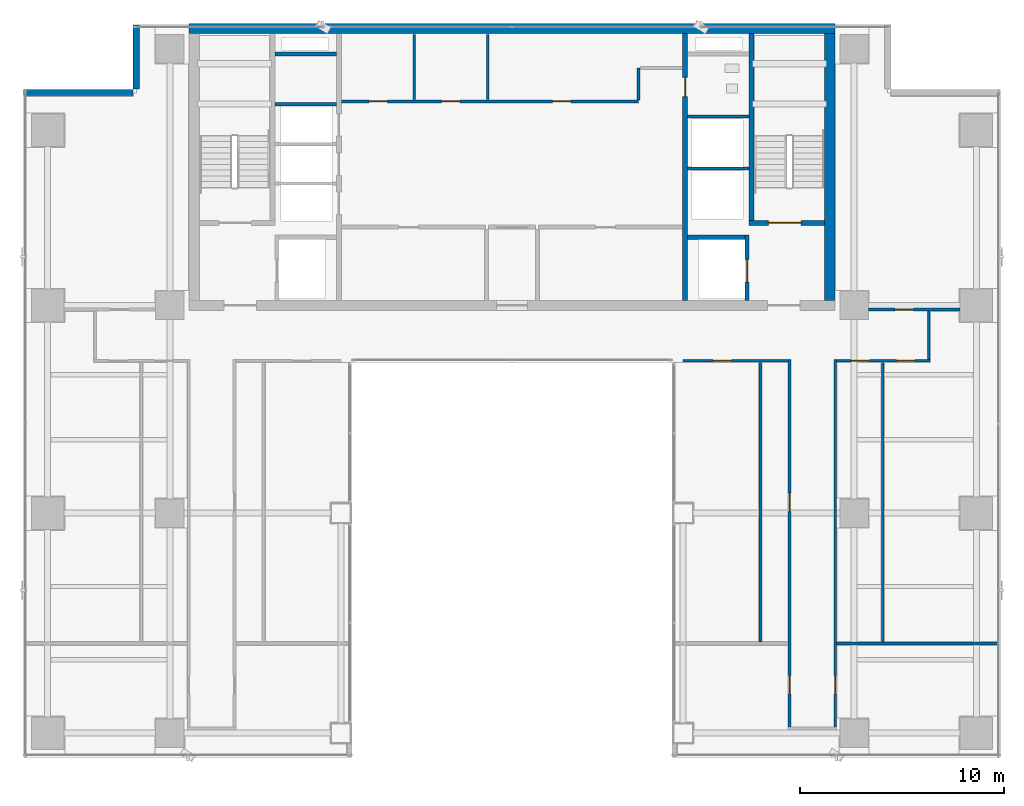
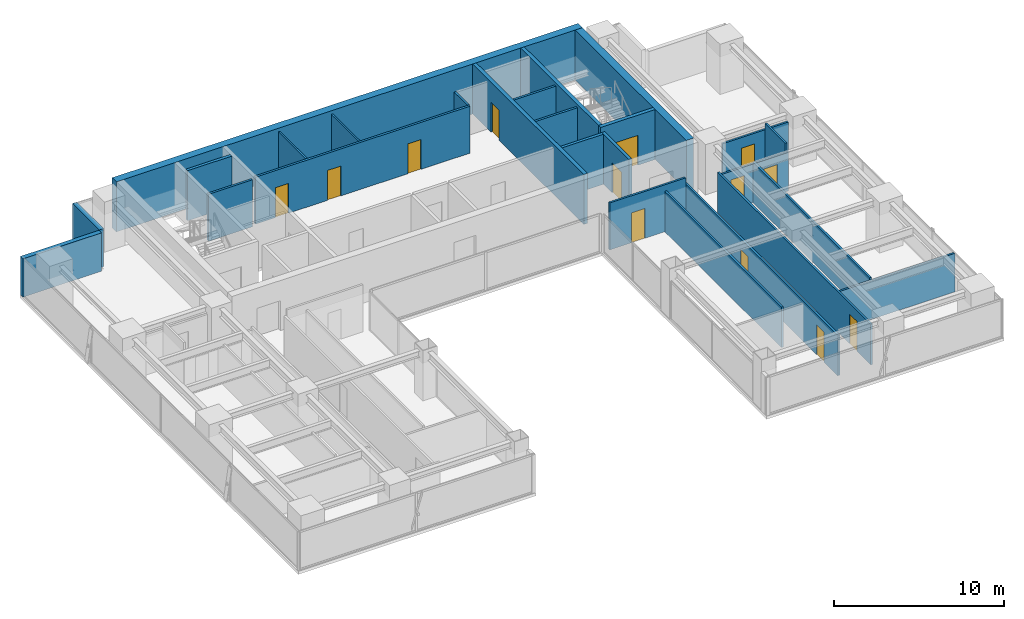
# One storey, part 25 of 30: 26 walls, 13 doors, 13 openings.
"""IFC4 building model written with IfcOpenShell, lengths in metres."""

from ifc_helpers import new_model, si_unit, direction, frame, frame_2d, origin, place, context, subcontext, project, spatial, rectangle, extrude, source, transform, mapped, material, layer, layer_set, type_object, element, fill, save


model = new_model("IFC4")

# Units and contexts
model_context = context("Model", 3, precision=1e-05, world=origin(), true_north=direction((0.0, 1.0)))
body_context = subcontext(model_context, "Body", "Model", "MODEL_VIEW")
ifc_project = project(units=[si_unit("LENGTHUNIT", "METRE"), si_unit("AREAUNIT", "SQUARE_METRE"), si_unit("VOLUMEUNIT", "CUBIC_METRE"), si_unit("PLANEANGLEUNIT", "RADIAN"), si_unit("MASSUNIT", "GRAM", prefix="KILO")], contexts=[model_context])

# Site, building, storey
site_placement = place(None, origin())
site = spatial("IfcSite", under=ifc_project, at=site_placement, CompositionType="ELEMENT")
building_placement = place(site_placement, origin())
building = spatial("IfcBuilding", under=site, at=building_placement, Name="Sumidabori Civic Tower", CompositionType="ELEMENT")
storey_placement = place(building_placement, frame((0.0, 0.0, 200.0)))
storey = spatial("IfcBuildingStorey", under=building, at=storey_placement, Name="L51", CompositionType="ELEMENT", Elevation=200.0)

# Walls
ifc_material_1 = material(Name="Concrete C50/60", Category="concrete")
ifc_layer_1 = layer(ifc_material_1, 0.199951171875, Name="Concrete C50/60")
ifc_layer_set_1 = layer_set([ifc_layer_1], Name="Concrete C50/60")
wall_type_1 = type_object("IfcWallType", Name="WL-SHAFT-200", PredefinedType="SHEAR", material=ifc_layer_set_1)
shared_shape_1 = source(origin(), body_context, "Body", "SweptSolid", [
    extrude(rectangle(XDim=2.824951171875, YDim=0.199951171875, at=frame_2d((1.41259765625, 0.0))), origin(), (0.0, 0.0, 1.0), 3.60009765625),
])
wall_1_placement = place(storey_placement, frame((8.625, 13.550048828125, 0.0), z_axis=(0.0, 0.0, 1.0), x_axis=(1.0, 0.0, 0.0)))
element("IfcWall", 1, at=wall_1_placement, inside=storey, type_object=wall_type_1, Name="Core Shear Wall L51 EL2-N", PredefinedType="SHEAR", context=body_context, shape_type="MappedRepresentation", body=[
    mapped(shared_shape_1, transform((0.0, 0.0, 0.0), x_axis=(1.0, 0.0, 0.0), y_axis=(0.0, 1.0, 0.0), z_axis=(0.0, 0.0, 1.0), scale=1.0)),
])
shared_shape_2 = source(origin(), body_context, "Body", "SweptSolid", [
    extrude(rectangle(XDim=3.02001953125, YDim=0.199951171875, at=frame_2d((1.510009765625, 0.0))), origin(), (0.0, 0.0, 1.0), 3.60009765625),
])
wall_2_placement = place(storey_placement, frame((-11.64501953125, 22.550048828125, 0.0), z_axis=(0.0, 0.0, 1.0), x_axis=(1.0, 0.0, 0.0)))
element("IfcWall", 2, at=wall_2_placement, inside=storey, type_object=wall_type_1, Name="Core Shear Wall L51 RIS1-S", PredefinedType="SHEAR", context=body_context, shape_type="MappedRepresentation", body=[
    mapped(shared_shape_2, transform((0.0, 0.0, 0.0), x_axis=(1.0, 0.0, 0.0), y_axis=(0.0, 1.0, 0.0), z_axis=(0.0, 0.0, 1.0), scale=1.0)),
])
ifc_layer_2 = layer(ifc_material_1, 0.5, Name="Concrete C50/60")
ifc_layer_set_2 = layer_set([ifc_layer_2], Name="Concrete C50/60")
wall_type_2 = type_object("IfcWallType", Name="WL-CORE-500", PredefinedType="SHEAR", material=ifc_layer_set_2)
shared_shape_3 = source(origin(), body_context, "Body", "SweptSolid", [
    extrude(rectangle(XDim=31.7001953125, YDim=0.5, at=frame_2d((15.85009765625, 0.0))), origin(), (0.0, 0.0, 1.0), 3.60009765625),
])
wall_3_placement = place(storey_placement, frame((-15.85009765625, 23.800048828125, 0.0), z_axis=(0.0, 0.0, 1.0), x_axis=(1.0, 0.0, 0.0)))
element("IfcWall", 3, at=wall_3_placement, inside=storey, type_object=wall_type_2, Name="Core Shear Wall L51 N", PredefinedType="SHEAR", context=body_context, shape_type="MappedRepresentation", body=[
    mapped(shared_shape_3, transform((0.0, 0.0, 0.0), x_axis=(1.0, 0.0, 0.0), y_axis=(0.0, 1.0, 0.0), z_axis=(0.0, 0.0, 1.0), scale=1.0)),
])
shared_shape_4 = source(origin(), body_context, "Body", "SweptSolid", [
    extrude(rectangle(XDim=13.10009765625, YDim=0.5, at=frame_2d((6.550048828125, 0.0))), origin(), (0.0, 0.0, 1.0), 3.60009765625),
])
wall_4_placement = place(storey_placement, frame((15.60009765625, 10.449951171875, 0.0), z_axis=(0.0, 0.0, 1.0), x_axis=(0.0, 1.0, 0.0)))
element("IfcWall", 4, at=wall_4_placement, inside=storey, type_object=wall_type_2, Name="Core Shear Wall L51 E", PredefinedType="SHEAR", context=body_context, shape_type="MappedRepresentation", body=[
    mapped(shared_shape_4, transform((0.0, 0.0, 0.0), x_axis=(1.0, 0.0, 0.0), y_axis=(0.0, 1.0, 0.0), z_axis=(0.0, 0.0, 1.0), scale=1.0)),
])

# Wall, opening, door
ifc_layer_3 = layer(ifc_material_1, 0.25, Name="Concrete C50/60")
ifc_layer_set_3 = layer_set([ifc_layer_3], Name="Concrete C50/60")
wall_type_3 = type_object("IfcWallType", Name="WL-SHAFT-250", PredefinedType="SHEAR", material=ifc_layer_set_3)
shared_shape_5 = source(origin(), body_context, "Body", "SweptSolid", [
    extrude(rectangle(XDim=13.10009765625, YDim=0.25, at=frame_2d((6.550048828125, 0.0))), origin(), (0.0, 0.0, 1.0), 3.60009765625),
])
wall_5_placement = place(storey_placement, frame((8.5, 10.449951171875, 0.0), z_axis=(0.0, 0.0, 1.0), x_axis=(0.0, 1.0, 0.0)))
wall_5 = element("IfcWall", 5, at=wall_5_placement, inside=storey, type_object=wall_type_3, Name="Core Shear Wall L51 WEB-E", PredefinedType="SHEAR", context=body_context, shape_type="MappedRepresentation", body=[
    mapped(shared_shape_5, transform((0.0, 0.0, 0.0), x_axis=(1.0, 0.0, 0.0), y_axis=(0.0, 1.0, 0.0), z_axis=(0.0, 0.0, 1.0), scale=1.0)),
])
opening_1_placement = place(wall_5_placement, frame((10.0, 0.0, 0.0)))
opening_1 = element("IfcOpeningElement", 6, at=opening_1_placement, cuts=wall_5, Name="Opening DR-2", PredefinedType="OPENING", context=body_context, shape_type="SweptSolid", body=[
    extrude(rectangle(XDim=0.949951171875, YDim=2.14990234375, at=frame_2d((0.47509765625, 1.074951171875))), frame((0.0, 0.136962890625, 0.0), z_axis=(0.0, -1.0, 0.0), x_axis=(1.0, 0.0, 0.0)), (0.0, 0.0, 1.0), 0.27392578125),
])
ifc_material_2 = material(Name="Japanese Hinoki Timber", Category="wood")
door_type_1 = type_object("IfcDoorType", Name="DR-INT-950", OperationType="NOTDEFINED", PredefinedType="DOOR", material=ifc_material_2)
shared_shape_6 = source(origin(), body_context, "Body", "SweptSolid", [
    extrude(rectangle(XDim=0.949951171875, YDim=2.14990234375, at=frame_2d((0.47509765625, 1.074951171875))), frame((0.0, 0.02490234375, 0.0), z_axis=(0.0, -1.0, 0.0), x_axis=(1.0, 0.0, 0.0)), (0.0, 0.0, 1.0), 0.050048828125),
])
door_1_placement = place(opening_1_placement, origin())
door_1 = element("IfcDoor", 7, at=door_1_placement, inside=storey, type_object=door_type_1, Name="Door DR:L51:WC-ACC", OperationType="SINGLE_SWING_RIGHT", OverallHeight=2.14990234375, OverallWidth=0.949951171875, PredefinedType="DOOR", context=body_context, shape_type="MappedRepresentation", body=[
    mapped(shared_shape_6, transform((0.0, 0.0, 0.0), x_axis=(1.0, 0.0, 0.0), y_axis=(0.0, 1.0, 0.0), z_axis=(0.0, 0.0, 1.0), scale=1.0)),
])
fill(opening_1, door_1)

shared_shape_7 = source(origin(), body_context, "Body", "SweptSolid", [
    extrude(rectangle(XDim=3.705078125, YDim=0.25, at=frame_2d((1.8525390625, 0.0))), origin(), (0.0, 0.0, 1.0), 3.60009765625),
])
wall_6_placement = place(storey_placement, frame((11.64501953125, 14.25, 0.0), z_axis=(0.0, 0.0, 1.0), x_axis=(1.0, 0.0, 0.0)))
wall_6 = element("IfcWall", 8, at=wall_6_placement, inside=storey, type_object=wall_type_3, Name="Core Shear Wall L51 ST2-S", PredefinedType="SHEAR", context=body_context, shape_type="MappedRepresentation", body=[
    mapped(shared_shape_7, transform((0.0, 0.0, 0.0), x_axis=(1.0, 0.0, 0.0), y_axis=(0.0, 1.0, 0.0), z_axis=(0.0, 0.0, 1.0), scale=1.0)),
])
opening_2_placement = place(wall_6_placement, frame((0.949951171875, 0.0, 0.0)))
opening_2 = element("IfcOpeningElement", 9, at=opening_2_placement, cuts=wall_6, Name="Opening DR-FD4", PredefinedType="OPENING", context=body_context, shape_type="SweptSolid", body=[
    extrude(rectangle(XDim=1.60009765625, YDim=2.14990234375, at=frame_2d((0.800048828125, 1.074951171875))), frame((0.0, 0.136962890625, 0.0), z_axis=(0.0, -1.0, 0.0), x_axis=(1.0, 0.0, 0.0)), (0.0, 0.0, 1.0), 0.27392578125),
])
ifc_material_3 = material(Name="Steel SN490", Category="steel")
door_type_2 = type_object("IfcDoorType", Name="DR-FD4", OperationType="DOUBLE_DOOR_SINGLE_SWING", PredefinedType="DOOR", material=ifc_material_3)
shared_shape_8 = source(origin(), body_context, "Body", "SweptSolid", [
    extrude(rectangle(XDim=1.60009765625, YDim=2.14990234375, at=frame_2d((0.800048828125, 1.074951171875))), frame((0.0, 0.02490234375, 0.0), z_axis=(0.0, -1.0, 0.0), x_axis=(1.0, 0.0, 0.0)), (0.0, 0.0, 1.0), 0.050048828125),
])
door_2_placement = place(opening_2_placement, origin())
door_2 = element("IfcDoor", 10, at=door_2_placement, inside=storey, type_object=door_type_2, Name="Door DR:L51:ST2", OperationType="DOUBLE_DOOR_SINGLE_SWING", OverallHeight=2.14990234375, OverallWidth=1.60009765625, PredefinedType="DOOR", context=body_context, shape_type="MappedRepresentation", body=[
    mapped(shared_shape_8, transform((0.0, 0.0, 0.0), x_axis=(1.0, 0.0, 0.0), y_axis=(0.0, 1.0, 0.0), z_axis=(0.0, 0.0, 1.0), scale=1.0)),
])
fill(opening_2, door_2)

# Wall
shared_shape_9 = source(origin(), body_context, "Body", "SweptSolid", [
    extrude(rectangle(XDim=9.175048828125, YDim=0.25, at=frame_2d((4.58740234375, 0.0))), origin(), (0.0, 0.0, 1.0), 3.60009765625),
])
wall_7_placement = place(storey_placement, frame((11.77001953125, 14.375, 0.0), z_axis=(0.0, 0.0, 1.0), x_axis=(0.0, 1.0, 0.0)))
element("IfcWall", 11, at=wall_7_placement, inside=storey, type_object=wall_type_3, Name="Core Shear Wall L51 ST2-W", PredefinedType="SHEAR", context=body_context, shape_type="MappedRepresentation", body=[
    mapped(shared_shape_9, transform((0.0, 0.0, 0.0), x_axis=(1.0, 0.0, 0.0), y_axis=(0.0, 1.0, 0.0), z_axis=(0.0, 0.0, 1.0), scale=1.0)),
])

# Wall, opening, door
shared_shape_10 = source(origin(), body_context, "Body", "SweptSolid", [
    extrude(rectangle(XDim=3.199951171875, YDim=0.199951171875, at=frame_2d((1.60009765625, 0.0))), origin(), (0.0, 0.0, 1.0), 3.60009765625),
])
wall_8_placement = place(storey_placement, frame((11.550048828125, 10.449951171875, 0.0), z_axis=(0.0, 0.0, 1.0), x_axis=(0.0, 1.0, 0.0)))
wall_8 = element("IfcWall", 12, at=wall_8_placement, inside=storey, type_object=wall_type_1, Name="Core Shear Wall L51 EL2-E", PredefinedType="SHEAR", context=body_context, shape_type="MappedRepresentation", body=[
    mapped(shared_shape_10, transform((0.0, 0.0, 0.0), x_axis=(1.0, 0.0, 0.0), y_axis=(0.0, 1.0, 0.0), z_axis=(0.0, 0.0, 1.0), scale=1.0)),
])
opening_3_placement = place(wall_8_placement, frame((0.89990234375, 0.0, 0.0)))
opening_3 = element("IfcOpeningElement", 13, at=opening_3_placement, cuts=wall_8, Name="Opening LD-2", PredefinedType="OPENING", context=body_context, shape_type="SweptSolid", body=[
    extrude(rectangle(XDim=1.10009765625, YDim=2.14990234375, at=frame_2d((0.550048828125, 1.074951171875))), frame((0.0, 0.11181640625, 0.0), z_axis=(0.0, -1.0, 0.0), x_axis=(1.0, 0.0, 0.0)), (0.0, 0.0, 1.0), 0.223876953125),
])
ifc_material_4 = material(Name="Stainless Steel Hairline Finish", Category="steel")
door_type_3 = type_object("IfcDoorType", Name="DR-LD2", OperationType="DOUBLE_DOOR_SLIDING", PredefinedType="DOOR", material=ifc_material_4)
shared_shape_11 = source(origin(), body_context, "Body", "SweptSolid", [
    extrude(rectangle(XDim=1.10009765625, YDim=2.14990234375, at=frame_2d((0.550048828125, 1.074951171875))), frame((0.0, 0.02490234375, 0.0), z_axis=(0.0, -1.0, 0.0), x_axis=(1.0, 0.0, 0.0)), (0.0, 0.0, 1.0), 0.050048828125),
])
door_3_placement = place(opening_3_placement, origin())
door_3 = element("IfcDoor", 14, at=door_3_placement, inside=storey, type_object=door_type_3, Name="Door DR:L51:LD-EL2", OperationType="DOUBLE_DOOR_SLIDING", OverallHeight=2.14990234375, OverallWidth=1.10009765625, PredefinedType="DOOR", context=body_context, shape_type="MappedRepresentation", body=[
    mapped(shared_shape_11, transform((0.0, 0.0, 0.0), x_axis=(1.0, 0.0, 0.0), y_axis=(0.0, 1.0, 0.0), z_axis=(0.0, 0.0, 1.0), scale=1.0)),
])
fill(opening_3, door_3)

# Walls
ifc_material_5 = material(Name="Precast concrete C40/50", Category="concrete")
ifc_layer_4 = layer(ifc_material_5, 0.300048828125, Name="Precast concrete C40/50")
ifc_layer_set_4 = layer_set([ifc_layer_4], Name="Precast concrete C40/50")
wall_type_4 = type_object("IfcWallType", Name="WL-EXT-POD300", PredefinedType="STANDARD", material=ifc_layer_set_4)
shared_shape_12 = source(origin(), body_context, "Body", "SweptSolid", [
    extrude(rectangle(XDim=5.35986328125, YDim=0.300048828125, at=frame_2d((2.679931640625, 0.0))), origin(), (0.0, 0.0, 1.0), 2.760009765625),
])
wall_9_placement = place(storey_placement, frame((-18.6201171875, 20.64990234375, 0.0), z_axis=(0.0, 0.0, 1.0), x_axis=(-1.0, 0.0, 0.0)))
element("IfcWall", 15, at=wall_9_placement, inside=storey, type_object=wall_type_4, Name="Notched Corner Spandrel Band L51-15", PredefinedType="STANDARD", context=body_context, shape_type="MappedRepresentation", body=[
    mapped(shared_shape_12, transform((0.0, 0.0, 0.0), x_axis=(1.0, 0.0, 0.0), y_axis=(0.0, 1.0, 0.0), z_axis=(0.0, 0.0, 1.0), scale=1.0)),
])
shared_shape_13 = source(origin(), body_context, "Body", "SweptSolid", [
    extrude(rectangle(XDim=3.159912109375, YDim=0.300048828125, at=frame_2d((1.580078125, 0.0))), origin(), (0.0, 0.0, 1.0), 2.760009765625),
])
wall_10_placement = place(storey_placement, frame((-18.449951171875, 23.97998046875, 0.0), z_axis=(0.0, 0.0, 1.0), x_axis=(0.0, -1.0, 0.0)))
element("IfcWall", 16, at=wall_10_placement, inside=storey, type_object=wall_type_4, Name="Notched Corner Spandrel Band L51-14", PredefinedType="STANDARD", context=body_context, shape_type="MappedRepresentation", body=[
    mapped(shared_shape_13, transform((0.0, 0.0, 0.0), x_axis=(1.0, 0.0, 0.0), y_axis=(0.0, 1.0, 0.0), z_axis=(0.0, 0.0, 1.0), scale=1.0)),
])
ifc_material_6 = material(Name="Gypsum Plasterboard Acoustic Partition")
ifc_layer_5 = layer(ifc_material_6, 0.14990234375, Name="Gypsum Plasterboard Acoustic Partition")
ifc_layer_set_5 = layer_set([ifc_layer_5], Name="Gypsum Plasterboard Acoustic Partition")
wall_type_5 = type_object("IfcWallType", Name="WL-PART-150", PredefinedType="PARTITIONING", material=ifc_layer_set_5)
shared_shape_14 = source(origin(), body_context, "Body", "SweptSolid", [
    extrude(rectangle(XDim=3.010009765625, YDim=0.14990234375, at=frame_2d((1.5048828125, 0.0))), origin(), (0.0, 0.0, 1.0), 3.3798828125),
])
for number, where, z_axis, x_axis, name in (
    (17, (-11.639892578125, 20.080078125, 0.0), (0.0, 0.0, 1.0), (1.0, 0.0, 0.0), "Interior Partition WL:L51:DIV-PLH3"),
    (18, (8.6298828125, 16.919921875, 0.0), (0.0, 0.0, 1.0), (1.0, 0.0, 0.0), "Interior Partition WL:L51:DIV-OBS1"),
    (19, (8.6298828125, 19.469970703125, 0.0), (0.0, 0.0, 1.0), (1.0, 0.0, 0.0), "Interior Partition WL:L51:DIV-OBS2"),
):
    element("IfcWall", number, at=place(storey_placement, frame(where, z_axis=z_axis, x_axis=x_axis)), inside=storey, type_object=wall_type_5, Name=name, PredefinedType="PARTITIONING", context=body_context, shape_type="MappedRepresentation", body=[
        mapped(shared_shape_14, transform((0.0, 0.0, 0.0), x_axis=(1.0, 0.0, 0.0), y_axis=(0.0, 1.0, 0.0), z_axis=(0.0, 0.0, 1.0), scale=1.0)),
    ])

# Wall, openings, doors
shared_shape_15 = source(origin(), body_context, "Body", "SweptSolid", [
    extrude(rectangle(XDim=14.590087890625, YDim=0.14990234375, at=frame_2d((7.294921875, 0.0))), origin(), (0.0, 0.0, 1.0), 3.3798828125),
])
wall_11_placement = place(storey_placement, frame((-8.3701171875, 20.219970703125, 0.0), z_axis=(0.0, 0.0, 1.0), x_axis=(1.0, 0.0, 0.0)))
wall_11 = element("IfcWall", 20, at=wall_11_placement, inside=storey, type_object=wall_type_5, Name="Interior Partition WL:L51:CBAND-M", PredefinedType="PARTITIONING", context=body_context, shape_type="MappedRepresentation", body=[
    mapped(shared_shape_15, transform((0.0, 0.0, 0.0), x_axis=(1.0, 0.0, 0.0), y_axis=(0.0, 1.0, 0.0), z_axis=(0.0, 0.0, 1.0), scale=1.0)),
])
opening_4_placement = place(wall_11_placement, frame((1.360107421875, 0.0, 0.0)))
opening_4 = element("IfcOpeningElement", 21, at=opening_4_placement, cuts=wall_11, Name="Opening DR-1", PredefinedType="OPENING", context=body_context, shape_type="SweptSolid", body=[
    extrude(rectangle(XDim=0.89990234375, YDim=2.14990234375, at=frame_2d((0.449951171875, 1.074951171875))), frame((0.0, 0.0869140625, 0.0), z_axis=(0.0, -1.0, 0.0), x_axis=(1.0, 0.0, 0.0)), (0.0, 0.0, 1.0), 0.173828125),
])
opening_5_placement = place(wall_11_placement, frame((4.919921875, 0.0, 0.0)))
opening_5 = element("IfcOpeningElement", 22, at=opening_5_placement, cuts=wall_11, Name="Opening DR-1", PredefinedType="OPENING", context=body_context, shape_type="SweptSolid", body=[
    extrude(rectangle(XDim=0.89990234375, YDim=2.14990234375, at=frame_2d((0.449951171875, 1.074951171875))), frame((0.0, 0.0869140625, 0.0), z_axis=(0.0, -1.0, 0.0), x_axis=(1.0, 0.0, 0.0)), (0.0, 0.0, 1.0), 0.173828125),
])
opening_6_placement = place(wall_11_placement, frame((10.3701171875, 0.0, 0.0)))
opening_6 = element("IfcOpeningElement", 23, at=opening_6_placement, cuts=wall_11, Name="Opening DR-1", PredefinedType="OPENING", context=body_context, shape_type="SweptSolid", body=[
    extrude(rectangle(XDim=0.89990234375, YDim=2.14990234375, at=frame_2d((0.449951171875, 1.074951171875))), frame((0.0, 0.0869140625, 0.0), z_axis=(0.0, -1.0, 0.0), x_axis=(1.0, 0.0, 0.0)), (0.0, 0.0, 1.0), 0.173828125),
])
door_type_4 = type_object("IfcDoorType", Name="DR-INT-900", OperationType="NOTDEFINED", PredefinedType="DOOR", material=ifc_material_2)
shared_shape_16 = source(origin(), body_context, "Body", "SweptSolid", [
    extrude(rectangle(XDim=0.89990234375, YDim=2.14990234375, at=frame_2d((0.449951171875, 1.074951171875))), frame((0.0, 0.02490234375, 0.0), z_axis=(0.0, -1.0, 0.0), x_axis=(1.0, 0.0, 0.0)), (0.0, 0.0, 1.0), 0.050048828125),
])
door_4_placement = place(opening_4_placement, origin())
door_4 = element("IfcDoor", 24, at=door_4_placement, inside=storey, type_object=door_type_4, Name="Door DR:L51:CB-1", OperationType="SINGLE_SWING_LEFT", OverallHeight=2.14990234375, OverallWidth=0.89990234375, PredefinedType="DOOR", context=body_context, shape_type="MappedRepresentation", body=[
    mapped(shared_shape_16, transform((0.0, 0.0, 0.0), x_axis=(1.0, 0.0, 0.0), y_axis=(0.0, 1.0, 0.0), z_axis=(0.0, 0.0, 1.0), scale=1.0)),
])
fill(opening_4, door_4)
door_5_placement = place(opening_5_placement, origin())
door_5 = element("IfcDoor", 25, at=door_5_placement, inside=storey, type_object=door_type_4, Name="Door DR:L51:CB-2", OperationType="SINGLE_SWING_RIGHT", OverallHeight=2.14990234375, OverallWidth=0.89990234375, PredefinedType="DOOR", context=body_context, shape_type="MappedRepresentation", body=[
    mapped(shared_shape_16, transform((0.0, 0.0, 0.0), x_axis=(1.0, 0.0, 0.0), y_axis=(0.0, 1.0, 0.0), z_axis=(0.0, 0.0, 1.0), scale=1.0)),
])
fill(opening_5, door_5)
door_6_placement = place(opening_6_placement, origin())
door_6 = element("IfcDoor", 26, at=door_6_placement, inside=storey, type_object=door_type_4, Name="Door DR:L51:CB-3", OperationType="SINGLE_SWING_LEFT", OverallHeight=2.14990234375, OverallWidth=0.89990234375, PredefinedType="DOOR", context=body_context, shape_type="MappedRepresentation", body=[
    mapped(shared_shape_16, transform((0.0, 0.0, 0.0), x_axis=(1.0, 0.0, 0.0), y_axis=(0.0, 1.0, 0.0), z_axis=(0.0, 0.0, 1.0), scale=1.0)),
])
fill(opening_6, door_6)

# Wall
shared_shape_17 = source(origin(), body_context, "Body", "SweptSolid", [
    extrude(rectangle(XDim=1.550048828125, YDim=0.14990234375, at=frame_2d((0.77490234375, 0.0))), origin(), (0.0, 0.0, 1.0), 3.3798828125),
])
wall_12_placement = place(storey_placement, frame((6.219970703125, 20.300048828125, 0.0), z_axis=(0.0, 0.0, 1.0), x_axis=(0.0, 1.0, 0.0)))
element("IfcWall", 27, at=wall_12_placement, inside=storey, type_object=wall_type_5, Name="Interior Partition WL:L51:CBAND-ME1", PredefinedType="PARTITIONING", context=body_context, shape_type="MappedRepresentation", body=[
    mapped(shared_shape_17, transform((0.0, 0.0, 0.0), x_axis=(1.0, 0.0, 0.0), y_axis=(0.0, 1.0, 0.0), z_axis=(0.0, 0.0, 1.0), scale=1.0)),
])

# Wall, opening, door
ifc_layer_6 = layer(ifc_material_6, 0.135009765625, Name="Gypsum Plasterboard Acoustic Partition")
ifc_layer_set_6 = layer_set([ifc_layer_6], Name="Gypsum Plasterboard Acoustic Partition")
wall_type_6 = type_object("IfcWallType", Name="WL-PART-135", PredefinedType="PARTITIONING", material=ifc_layer_set_6)
shared_shape_18 = source(origin(), body_context, "Body", "SweptSolid", [
    extrude(rectangle(XDim=4.47998046875, YDim=0.135009765625, at=frame_2d((2.239990234375, 0.0))), origin(), (0.0, 0.0, 1.0), 2.9150390625),
])
wall_13_placement = place(storey_placement, frame((17.510009765625, 10.0, 0.0), z_axis=(0.0, 0.0, 1.0), x_axis=(1.0, 0.0, 0.0)))
wall_13 = element("IfcWall", 28, at=wall_13_placement, inside=storey, type_object=wall_type_6, Name="Interior Partition WL:L51:FLK-NE", PredefinedType="PARTITIONING", context=body_context, shape_type="MappedRepresentation", body=[
    mapped(shared_shape_18, transform((0.0, 0.0, 0.0), x_axis=(1.0, 0.0, 0.0), y_axis=(0.0, 1.0, 0.0), z_axis=(0.0, 0.0, 1.0), scale=1.0)),
])
opening_7_placement = place(wall_13_placement, frame((1.294921875, 0.0, 0.0)))
opening_7 = element("IfcOpeningElement", 29, at=opening_7_placement, cuts=wall_13, Name="Opening DR-1", PredefinedType="OPENING", context=body_context, shape_type="SweptSolid", body=[
    extrude(rectangle(XDim=0.89990234375, YDim=2.14990234375, at=frame_2d((0.449951171875, 1.074951171875))), frame((0.0, 0.07958984375, 0.0), z_axis=(0.0, -1.0, 0.0), x_axis=(1.0, 0.0, 0.0)), (0.0, 0.0, 1.0), 0.158935546875),
])
door_7_placement = place(opening_7_placement, origin())
door_7 = element("IfcDoor", 30, at=door_7_placement, inside=storey, type_object=door_type_4, Name="Door DR:L51:FLK-NE", OperationType="SINGLE_SWING_RIGHT", OverallHeight=2.14990234375, OverallWidth=0.89990234375, PredefinedType="DOOR", context=body_context, shape_type="MappedRepresentation", body=[
    mapped(shared_shape_16, transform((0.0, 0.0, 0.0), x_axis=(1.0, 0.0, 0.0), y_axis=(0.0, 1.0, 0.0), z_axis=(0.0, 0.0, 1.0), scale=1.0)),
])
fill(opening_7, door_7)

# Wall, openings, doors
shared_shape_19 = source(origin(), body_context, "Body", "SweptSolid", [
    extrude(rectangle(XDim=18.045166015625, YDim=0.135009765625, at=frame_2d((9.0224609375, 0.0))), origin(), (0.0, 0.0, 1.0), 2.9150390625),
])
wall_14_placement = place(storey_placement, frame((13.632568359375, -10.4951171875, 0.0), z_axis=(0.0, 0.0, 1.0), x_axis=(0.0, 1.0, 0.0)))
wall_14 = element("IfcWall", 31, at=wall_14_placement, inside=storey, type_object=wall_type_6, Name="Interior Partition WL:L51:CORR-VPE-I", PredefinedType="PARTITIONING", context=body_context, shape_type="MappedRepresentation", body=[
    mapped(shared_shape_19, transform((0.0, 0.0, 0.0), x_axis=(1.0, 0.0, 0.0), y_axis=(0.0, 1.0, 0.0), z_axis=(0.0, 0.0, 1.0), scale=1.0)),
])
opening_8_placement = place(wall_14_placement, frame((10.586181640625, 0.0, 0.0)))
opening_8 = element("IfcOpeningElement", 32, at=opening_8_placement, cuts=wall_14, Name="Opening DR-1", PredefinedType="OPENING", context=body_context, shape_type="SweptSolid", body=[
    extrude(rectangle(XDim=0.89990234375, YDim=2.14990234375, at=frame_2d((0.449951171875, 1.074951171875))), frame((0.0, 0.07958984375, 0.0), z_axis=(0.0, -1.0, 0.0), x_axis=(1.0, 0.0, 0.0)), (0.0, 0.0, 1.0), 0.158935546875),
])
opening_9_placement = place(wall_14_placement, frame((1.623779296875, 0.0, 0.0)))
opening_9 = element("IfcOpeningElement", 33, at=opening_9_placement, cuts=wall_14, Name="Opening DR-1", PredefinedType="OPENING", context=body_context, shape_type="SweptSolid", body=[
    extrude(rectangle(XDim=0.89990234375, YDim=2.14990234375, at=frame_2d((0.449951171875, 1.074951171875))), frame((0.0, 0.07958984375, 0.0), z_axis=(0.0, -1.0, 0.0), x_axis=(1.0, 0.0, 0.0)), (0.0, 0.0, 1.0), 0.158935546875),
])
door_8_placement = place(opening_8_placement, origin())
door_8 = element("IfcDoor", 34, at=door_8_placement, inside=storey, type_object=door_type_4, Name="Door DR:L51:D10", OperationType="SINGLE_SWING_RIGHT", OverallHeight=2.14990234375, OverallWidth=0.89990234375, PredefinedType="DOOR", context=body_context, shape_type="MappedRepresentation", body=[
    mapped(shared_shape_16, transform((0.0, 0.0, 0.0), x_axis=(1.0, 0.0, 0.0), y_axis=(0.0, 1.0, 0.0), z_axis=(0.0, 0.0, 1.0), scale=1.0)),
])
fill(opening_8, door_8)
door_9_placement = place(opening_9_placement, origin())
door_9 = element("IfcDoor", 35, at=door_9_placement, inside=storey, type_object=door_type_4, Name="Door DR:L51:D14", OperationType="SINGLE_SWING_RIGHT", OverallHeight=2.14990234375, OverallWidth=0.89990234375, PredefinedType="DOOR", context=body_context, shape_type="MappedRepresentation", body=[
    mapped(shared_shape_16, transform((0.0, 0.0, 0.0), x_axis=(1.0, 0.0, 0.0), y_axis=(0.0, 1.0, 0.0), z_axis=(0.0, 0.0, 1.0), scale=1.0)),
])
fill(opening_9, door_9)

# Wall, opening, door
wall_15_placement = place(storey_placement, frame((15.867431640625, -10.4951171875, 0.0), z_axis=(0.0, 0.0, 1.0), x_axis=(0.0, 1.0, 0.0)))
wall_15 = element("IfcWall", 36, at=wall_15_placement, inside=storey, type_object=wall_type_6, Name="Interior Partition WL:L51:CORR-VPE-O", PredefinedType="PARTITIONING", context=body_context, shape_type="MappedRepresentation", body=[
    mapped(shared_shape_19, transform((0.0, 0.0, 0.0), x_axis=(1.0, 0.0, 0.0), y_axis=(0.0, 1.0, 0.0), z_axis=(0.0, 0.0, 1.0), scale=1.0)),
])
opening_10_placement = place(wall_15_placement, frame((1.623779296875, 0.0, 0.0)))
opening_10 = element("IfcOpeningElement", 37, at=opening_10_placement, cuts=wall_15, Name="Opening DR-1", PredefinedType="OPENING", context=body_context, shape_type="SweptSolid", body=[
    extrude(rectangle(XDim=0.89990234375, YDim=2.14990234375, at=frame_2d((0.449951171875, 1.074951171875))), frame((0.0, 0.07958984375, 0.0), z_axis=(0.0, -1.0, 0.0), x_axis=(1.0, 0.0, 0.0)), (0.0, 0.0, 1.0), 0.158935546875),
])
door_10_placement = place(opening_10_placement, origin())
door_10 = element("IfcDoor", 38, at=door_10_placement, inside=storey, type_object=door_type_4, Name="Door DR:L51:D12", OperationType="SINGLE_SWING_RIGHT", OverallHeight=2.14990234375, OverallWidth=0.89990234375, PredefinedType="DOOR", context=body_context, shape_type="MappedRepresentation", body=[
    mapped(shared_shape_16, transform((0.0, 0.0, 0.0), x_axis=(1.0, 0.0, 0.0), y_axis=(0.0, 1.0, 0.0), z_axis=(0.0, 0.0, 1.0), scale=1.0)),
])
fill(opening_10, door_10)

# Walls
shared_shape_20 = source(origin(), body_context, "Body", "SweptSolid", [
    extrude(rectangle(XDim=13.7373046875, YDim=0.135009765625, at=frame_2d((6.86865234375, 0.0))), origin(), (0.0, 0.0, 1.0), 2.9150390625),
])
for number, where, z_axis, x_axis, name in (
    (39, (12.199951171875, -6.327392578125, 0.0), (0.0, 0.0, 1.0), (0.0, 1.0, 0.0), "Interior Partition WL:L51:VX-N3"),
    (40, (18.199951171875, -6.327392578125, 0.0), (0.0, 0.0, 1.0), (0.0, 1.0, 0.0), "Interior Partition WL:L51:VX-N4"),
):
    element("IfcWall", number, at=place(storey_placement, frame(where, z_axis=z_axis, x_axis=x_axis)), inside=storey, type_object=wall_type_6, Name=name, PredefinedType="PARTITIONING", context=body_context, shape_type="MappedRepresentation", body=[
        mapped(shared_shape_20, transform((0.0, 0.0, 0.0), x_axis=(1.0, 0.0, 0.0), y_axis=(0.0, 1.0, 0.0), z_axis=(0.0, 0.0, 1.0), scale=1.0)),
    ])
ifc_layer_7 = layer(ifc_material_6, 0.1201171875, Name="Gypsum Plasterboard Acoustic Partition")
ifc_layer_set_7 = layer_set([ifc_layer_7], Name="Gypsum Plasterboard Acoustic Partition")
wall_type_7 = type_object("IfcWallType", Name="WL-PART-120", PredefinedType="PARTITIONING", material=ifc_layer_set_7)
shared_shape_21 = source(origin(), body_context, "Body", "SweptSolid", [
    extrude(rectangle(XDim=3.18994140625, YDim=0.1201171875, at=frame_2d((1.594970703125, 0.0))), origin(), (0.0, 0.0, 1.0), 3.3798828125),
])
for number, where, z_axis, x_axis, name in (
    (41, (-4.800048828125, 20.320068359375, 0.0), (0.0, 0.0, 1.0), (0.0, 1.0, 0.0), "Interior Partition WL:L51:LV8-S1"),
    (42, (-1.199951171875, 20.320068359375, 0.0), (0.0, 0.0, 1.0), (0.0, 1.0, 0.0), "Interior Partition WL:L51:LV8-S2"),
):
    element("IfcWall", number, at=place(storey_placement, frame(where, z_axis=z_axis, x_axis=x_axis)), inside=storey, type_object=wall_type_7, Name=name, PredefinedType="PARTITIONING", context=body_context, shape_type="MappedRepresentation", body=[
        mapped(shared_shape_21, transform((0.0, 0.0, 0.0), x_axis=(1.0, 0.0, 0.0), y_axis=(0.0, 1.0, 0.0), z_axis=(0.0, 0.0, 1.0), scale=1.0)),
    ])

# Wall, openings, doors
shared_shape_22 = source(origin(), body_context, "Body", "SweptSolid", [
    extrude(rectangle(XDim=4.599853515625, YDim=0.135009765625, at=frame_2d((2.2998046875, 0.0))), origin(), (0.0, 0.0, 1.0), 2.764892578125),
])
wall_16_placement = place(storey_placement, frame((15.93505859375, 7.482421875, 0.0), z_axis=(0.0, 0.0, 1.0), x_axis=(1.0, 0.0, 0.0)))
wall_16 = element("IfcWall", 43, at=wall_16_placement, inside=storey, type_object=wall_type_6, Name="Interior Partition WL:L51:CORR-SEO", PredefinedType="PARTITIONING", context=body_context, shape_type="MappedRepresentation", body=[
    mapped(shared_shape_22, transform((0.0, 0.0, 0.0), x_axis=(1.0, 0.0, 0.0), y_axis=(0.0, 1.0, 0.0), z_axis=(0.0, 0.0, 1.0), scale=1.0)),
])
opening_11_placement = place(wall_16_placement, frame((2.956298828125, 0.0, 0.0)))
opening_11 = element("IfcOpeningElement", 44, at=opening_11_placement, cuts=wall_16, Name="Opening DR-1", PredefinedType="OPENING", context=body_context, shape_type="SweptSolid", body=[
    extrude(rectangle(XDim=0.89990234375, YDim=2.14990234375, at=frame_2d((0.449951171875, 1.074951171875))), frame((0.0, 0.07958984375, 0.0), z_axis=(0.0, -1.0, 0.0), x_axis=(1.0, 0.0, 0.0)), (0.0, 0.0, 1.0), 0.158935546875),
])
opening_12_placement = place(wall_16_placement, frame((0.708740234375, 0.0, 0.0)))
opening_12 = element("IfcOpeningElement", 45, at=opening_12_placement, cuts=wall_16, Name="Opening DR-1", PredefinedType="OPENING", context=body_context, shape_type="SweptSolid", body=[
    extrude(rectangle(XDim=0.89990234375, YDim=2.14990234375, at=frame_2d((0.449951171875, 1.074951171875))), frame((0.0, 0.07958984375, 0.0), z_axis=(0.0, -1.0, 0.0), x_axis=(1.0, 0.0, 0.0)), (0.0, 0.0, 1.0), 0.158935546875),
])
door_11_placement = place(opening_11_placement, origin())
door_11 = element("IfcDoor", 46, at=door_11_placement, inside=storey, type_object=door_type_4, Name="Door DR:L51:D04", OperationType="SINGLE_SWING_RIGHT", OverallHeight=2.14990234375, OverallWidth=0.89990234375, PredefinedType="DOOR", context=body_context, shape_type="MappedRepresentation", body=[
    mapped(shared_shape_16, transform((0.0, 0.0, 0.0), x_axis=(1.0, 0.0, 0.0), y_axis=(0.0, 1.0, 0.0), z_axis=(0.0, 0.0, 1.0), scale=1.0)),
])
fill(opening_11, door_11)
door_12_placement = place(opening_12_placement, origin())
door_12 = element("IfcDoor", 47, at=door_12_placement, inside=storey, type_object=door_type_4, Name="Door DR:L51:D08", OperationType="SINGLE_SWING_RIGHT", OverallHeight=2.14990234375, OverallWidth=0.89990234375, PredefinedType="DOOR", context=body_context, shape_type="MappedRepresentation", body=[
    mapped(shared_shape_16, transform((0.0, 0.0, 0.0), x_axis=(1.0, 0.0, 0.0), y_axis=(0.0, 1.0, 0.0), z_axis=(0.0, 0.0, 1.0), scale=1.0)),
])
fill(opening_12, door_12)

# Wall, opening, door
shared_shape_23 = source(origin(), body_context, "Body", "SweptSolid", [
    extrude(rectangle(XDim=5.1650390625, YDim=0.135009765625, at=frame_2d((2.58251953125, 0.0))), origin(), (0.0, 0.0, 1.0), 3.3798828125),
])
wall_17_placement = place(storey_placement, frame((8.39990234375, 7.482421875, 0.0), z_axis=(0.0, 0.0, 1.0), x_axis=(1.0, 0.0, 0.0)))
wall_17 = element("IfcWall", 48, at=wall_17_placement, inside=storey, type_object=wall_type_6, Name="Interior Partition WL:L51:CORR-SEI", PredefinedType="PARTITIONING", context=body_context, shape_type="MappedRepresentation", body=[
    mapped(shared_shape_23, transform((0.0, 0.0, 0.0), x_axis=(1.0, 0.0, 0.0), y_axis=(0.0, 1.0, 0.0), z_axis=(0.0, 0.0, 1.0), scale=1.0)),
])
opening_13_placement = place(wall_17_placement, frame((1.476318359375, 0.0, 0.0)))
opening_13 = element("IfcOpeningElement", 49, at=opening_13_placement, cuts=wall_17, Name="Opening DR-1", PredefinedType="OPENING", context=body_context, shape_type="SweptSolid", body=[
    extrude(rectangle(XDim=0.89990234375, YDim=2.14990234375, at=frame_2d((0.449951171875, 1.074951171875))), frame((0.0, 0.07958984375, 0.0), z_axis=(0.0, -1.0, 0.0), x_axis=(1.0, 0.0, 0.0)), (0.0, 0.0, 1.0), 0.158935546875),
])
door_13_placement = place(opening_13_placement, origin())
door_13 = element("IfcDoor", 50, at=door_13_placement, inside=storey, type_object=door_type_4, Name="Door DR:L51:D07", OperationType="SINGLE_SWING_LEFT", OverallHeight=2.14990234375, OverallWidth=0.89990234375, PredefinedType="DOOR", context=body_context, shape_type="MappedRepresentation", body=[
    mapped(shared_shape_16, transform((0.0, 0.0, 0.0), x_axis=(1.0, 0.0, 0.0), y_axis=(0.0, 1.0, 0.0), z_axis=(0.0, 0.0, 1.0), scale=1.0)),
])
fill(opening_13, door_13)

# Walls
shared_shape_24 = source(origin(), body_context, "Body", "SweptSolid", [
    extrude(rectangle(XDim=2.37255859375, YDim=0.135009765625, at=frame_2d((1.186279296875, 0.0))), origin(), (0.0, 0.0, 1.0), 3.3798828125),
])
wall_18_placement = place(storey_placement, frame((20.467529296875, 7.554931640625, 0.0), z_axis=(0.0, 0.0, 1.0), x_axis=(0.0, 1.0, 0.0)))
element("IfcWall", 51, at=wall_18_placement, inside=storey, type_object=wall_type_6, Name="Interior Partition WL:L51:CORR-VNE", PredefinedType="PARTITIONING", context=body_context, shape_type="MappedRepresentation", body=[
    mapped(shared_shape_24, transform((0.0, 0.0, 0.0), x_axis=(1.0, 0.0, 0.0), y_axis=(0.0, 1.0, 0.0), z_axis=(0.0, 0.0, 1.0), scale=1.0)),
])
shared_shape_25 = source(origin(), body_context, "Body", "SweptSolid", [
    extrude(rectangle(XDim=7.91015625, YDim=0.135009765625, at=frame_2d((3.955078125, 0.0))), origin(), (0.0, 0.0, 1.0), 2.764892578125),
])
wall_19_placement = place(storey_placement, frame((15.93994140625, -6.39990234375, 0.0), z_axis=(0.0, 0.0, 1.0), x_axis=(1.0, 0.0, 0.0)))
element("IfcWall", 52, at=wall_19_placement, inside=storey, type_object=wall_type_6, Name="Interior Partition WL:L51:BAND-YE-2", PredefinedType="PARTITIONING", context=body_context, shape_type="MappedRepresentation", body=[
    mapped(shared_shape_25, transform((0.0, 0.0, 0.0), x_axis=(1.0, 0.0, 0.0), y_axis=(0.0, 1.0, 0.0), z_axis=(0.0, 0.0, 1.0), scale=1.0)),
])

save(model, "model.ifc")
